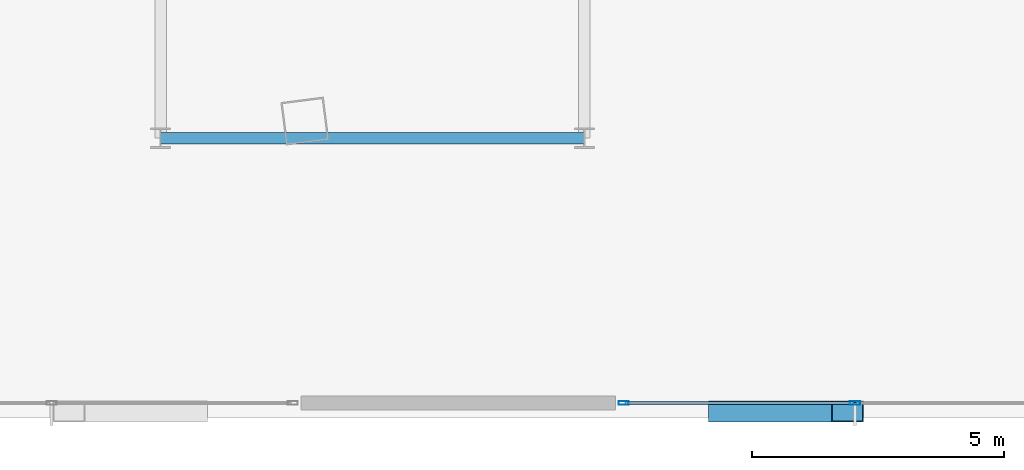
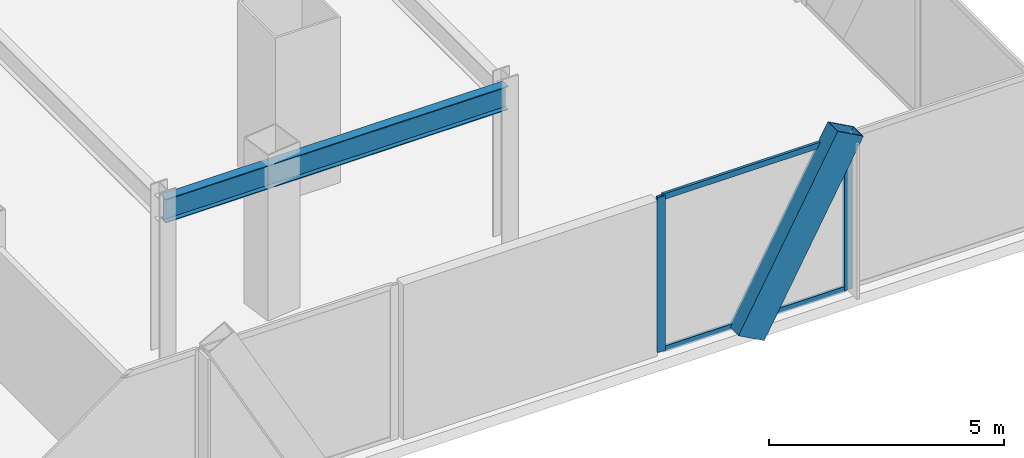
# One storey, part 16 of 42: 5 members, 1 beam, 1 element without a shape of its own.
"""IFC4 building model written with IfcOpenShell, lengths in metres."""

from ifc_helpers import new_model, si_unit, direction, frame, origin, origin_2d, place, context, subcontext, project, spatial, hollow_rectangle, i_section, extrude, material, layer, layer_set, material_profile, profile_set, type_object, element, aggregate, save


model = new_model("IFC4")

# Units and contexts
model_context = context("Model", 3, precision=1e-05, world=origin(), true_north=direction((0.0, 1.0)))
body_context = subcontext(model_context, "Body", "Model", "MODEL_VIEW")
ifc_project = project(units=[si_unit("LENGTHUNIT", "METRE"), si_unit("AREAUNIT", "SQUARE_METRE"), si_unit("VOLUMEUNIT", "CUBIC_METRE"), si_unit("PLANEANGLEUNIT", "RADIAN"), si_unit("MASSUNIT", "GRAM", prefix="KILO")], contexts=[model_context])

# Site, building, storey
site_placement = place(None, origin())
site = spatial("IfcSite", under=ifc_project, at=site_placement, CompositionType="ELEMENT")
building_placement = place(site_placement, origin())
building = spatial("IfcBuilding", under=site, at=building_placement, Name="Orvanel Arch Residences", CompositionType="ELEMENT")
storey_placement = place(building_placement, frame((0.0, 0.0, 9.800048828125)))
storey = spatial("IfcBuildingStorey", under=building, at=storey_placement, Name="L02", CompositionType="ELEMENT", Elevation=9.800048828125)

# Beam
ifc_material_1 = material(Name="Structural steel AS/NZS 3679.1 Grade 300 (300 MPa)", Category="steel")
ifc_material_profile_1 = material_profile(ifc_material_1, i_section(OverallWidth=0.22900390625, OverallDepth=0.612060546875, WebThickness=0.011962890625, FlangeThickness=0.01953125, at=origin_2d()), Name="610UB125")
ifc_profile_set_1 = profile_set([ifc_material_profile_1], Name="Structural steel AS/NZS 3679.1 Grade 300 (300 MPa)")
beam_type = type_object("IfcBeamType", Name="BG-610UB", PredefinedType="BEAM", material=ifc_profile_set_1)
beam_placement = place(storey_placement, frame((46.199951171875, 6.0, 3.7138671875), z_axis=(1.0, 0.0, 0.0), x_axis=(0.0, 1.0, 0.0)))
element("IfcBeam", 1, at=beam_placement, inside=storey, type_object=beam_type, Name="L02 BG-610UB beam", PredefinedType="BEAM", context=body_context, shape_type="SweptSolid", body=[
    extrude(i_section(OverallWidth=0.22900390625, OverallDepth=0.612060546875, WebThickness=0.011962890625, FlangeThickness=0.01953125, at=origin_2d()), origin(), (0.0, 0.0, 1.0), 8.400146484375),
])

# Member
ifc_material_2 = material(Name="Structural steel AS/NZS 3678 Grade 350", Category="steel")
ifc_material_profile_2 = material_profile(ifc_material_2, hollow_rectangle(XDim=0.419921875, YDim=0.719970703125, WallThickness=0.02490234375, at=origin_2d()), Name="RHS720x420x25")
ifc_profile_set_2 = profile_set([ifc_material_profile_2], Name="Structural steel AS/NZS 3678 Grade 350")
member_type_1 = type_object("IfcMemberType", Name="BR-720RHS-EXT", PredefinedType="BRACE", material=ifc_profile_set_2)
member_1_placement = place(storey_placement, frame((57.381103515625, 0.580078125, -0.150146484375), z_axis=(0.479981364724, 0.0, 0.877278684066), x_axis=(0.0, 1.0, 0.0)))
element("IfcMember", 2, at=member_1_placement, inside=storey, type_object=member_type_1, Name="L02 Podium Multi-Storey V-Strut Pair SE Leg 2", PredefinedType="BRACE", context=body_context, shape_type="SweptSolid", body=[
    extrude(hollow_rectangle(XDim=0.419921875, YDim=0.719970703125, WallThickness=0.02490234375, at=origin_2d()), origin(), (0.0, 0.0, 1.0), 5.07275390625),
])

# Curtain wall, members
ifc_material_3 = material(Name="Bronze-anodised aluminium AA6063-T6", Category="aluminium")
ifc_layer = layer(ifc_material_3, 0.199951171875)
ifc_layer_set = layer_set([ifc_layer], Name="Bronze-anodised aluminium AA6063-T6")
curtain_wall_type = type_object("IfcCurtainWallType", Name="CW1-POD-SYS", PredefinedType="NOTDEFINED", material=ifc_layer_set)
curtain_wall_placement = place(storey_placement, origin())
curtain_wall = element("IfcCurtainWall", 3, at=curtain_wall_placement, inside=storey, type_object=curtain_wall_type, Name="L02 CW1-POD-SYS Unitised Curtain Wall", PredefinedType="NOTDEFINED")
ifc_material_profile_3 = material_profile(ifc_material_3, hollow_rectangle(XDim=0.074951171875, YDim=0.199951171875, WallThickness=0.0048828125, at=origin_2d()), Name="ALU200x75x5")
ifc_profile_set_3 = profile_set([ifc_material_profile_3], Name="Bronze-anodised aluminium AA6063-T6")
member_type_2 = type_object("IfcMemberType", Name="MUL-200x75", PredefinedType="MULLION", material=ifc_profile_set_3)
member_2_placement = place(storey_placement, frame((55.37744140625, 0.75, 0.0), z_axis=(0.0, 0.0, 1.0), x_axis=(0.0, 1.0, 0.0)))
member_2 = element("IfcMember", 4, at=member_2_placement, type_object=member_type_2, Name="CW-S1 mullion 1", PredefinedType="MULLION", context=body_context, shape_type="SweptSolid", body=[
    extrude(hollow_rectangle(XDim=0.074951171875, YDim=0.199951171875, WallThickness=0.0048828125, at=origin_2d()), origin(), (0.0, 0.0, 1.0), 4.02001953125),
])
member_3_placement = place(storey_placement, frame((59.965087890625, 0.75, 0.0), z_axis=(0.0, 0.0, 1.0), x_axis=(0.0, 1.0, 0.0)))
member_3 = element("IfcMember", 5, at=member_3_placement, type_object=member_type_2, Name="CW-S1 mullion 2", PredefinedType="MULLION", context=body_context, shape_type="SweptSolid", body=[
    extrude(hollow_rectangle(XDim=0.074951171875, YDim=0.199951171875, WallThickness=0.0048828125, at=origin_2d()), origin(), (0.0, 0.0, 1.0), 4.02001953125),
])
ifc_material_profile_4 = material_profile(ifc_material_3, hollow_rectangle(XDim=0.06494140625, YDim=0.14990234375, WallThickness=0.00390625, at=origin_2d()), Name="ALU150x65x4")
ifc_profile_set_4 = profile_set([ifc_material_profile_4], Name="Bronze-anodised aluminium AA6063-T6")
member_type_3 = type_object("IfcMemberType", Name="TRN-150x65", PredefinedType="USERDEFINED", material=ifc_profile_set_4)
member_4_placement = place(storey_placement, frame((55.4150390625, 0.75, 0.032470703125), z_axis=(1.0, 0.0, 0.0), x_axis=(0.0, 1.0, 0.0)))
member_4 = element("IfcMember", 6, at=member_4_placement, type_object=member_type_3, Name="CW-S1 transom 1.1", ObjectType="TRANSOM", PredefinedType="USERDEFINED", context=body_context, shape_type="SweptSolid", body=[
    extrude(hollow_rectangle(XDim=0.06494140625, YDim=0.14990234375, WallThickness=0.00390625, at=origin_2d()), origin(), (0.0, 0.0, 1.0), 4.512451171875),
])
member_5_placement = place(storey_placement, frame((55.4150390625, 0.75, 3.987548828125), z_axis=(1.0, 0.0, 0.0), x_axis=(0.0, 1.0, 0.0)))
member_5 = element("IfcMember", 7, at=member_5_placement, type_object=member_type_3, Name="CW-S1 transom 1.2", ObjectType="TRANSOM", PredefinedType="USERDEFINED", context=body_context, shape_type="SweptSolid", body=[
    extrude(hollow_rectangle(XDim=0.06494140625, YDim=0.14990234375, WallThickness=0.00390625, at=origin_2d()), origin(), (0.0, 0.0, 1.0), 4.512451171875),
])
aggregate(curtain_wall, [member_2, member_3, member_4, member_5])

save(model, "model.ifc")
